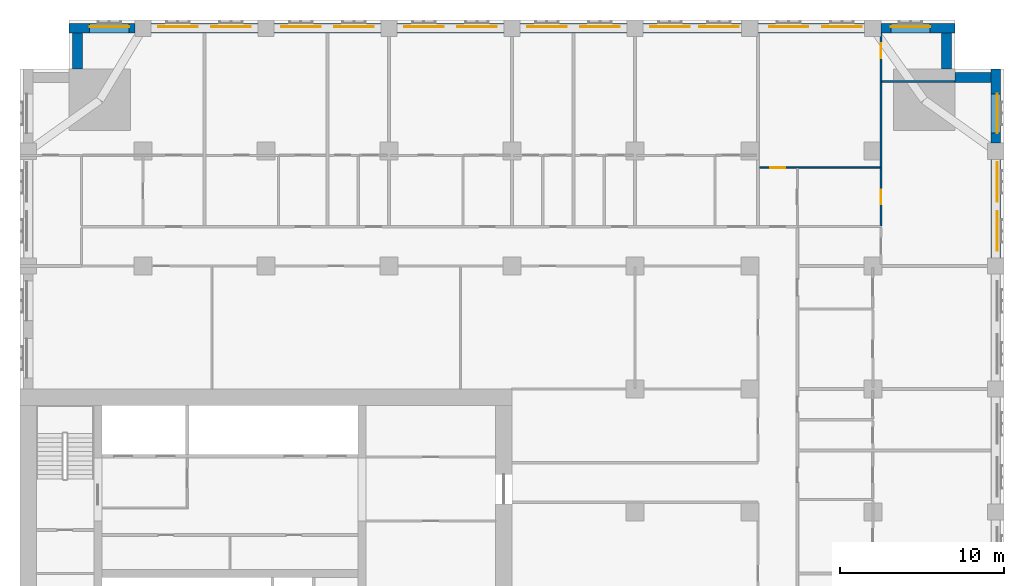
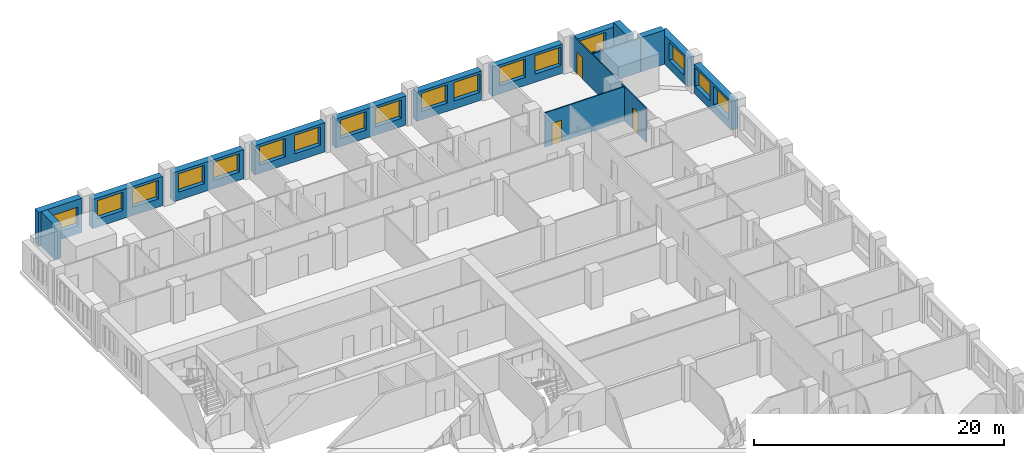
# One storey, part 11 of 14: 17 windows, 16 walls, 3 doors, 20 openings.
"""IFC4 building model written with IfcOpenShell, lengths in metres."""

from ifc_helpers import new_model, si_unit, direction, frame, frame_2d, origin, place, context, subcontext, project, spatial, rectangle, extrude, material, layer, layer_set, type_object, element, fill, save


model = new_model("IFC4")

# Units and contexts
model_context = context("Model", 3, precision=1e-05, world=origin(), true_north=direction((0.0, 1.0)))
body_context = subcontext(model_context, "Body", "Model", "MODEL_VIEW")
ifc_project = project(units=[si_unit("LENGTHUNIT", "METRE"), si_unit("AREAUNIT", "SQUARE_METRE"), si_unit("VOLUMEUNIT", "CUBIC_METRE"), si_unit("PLANEANGLEUNIT", "RADIAN"), si_unit("MASSUNIT", "GRAM", prefix="KILO")], contexts=[model_context])

# Site, building, storey
site_placement = place(None, origin())
site = spatial("IfcSite", under=ifc_project, at=site_placement, CompositionType="ELEMENT")
building_placement = place(site_placement, origin())
building = spatial("IfcBuilding", under=site, at=building_placement, Name="Tamorin Gate", CompositionType="ELEMENT")
storey_placement = place(building_placement, frame((0.0, 0.0, 107.89990234375)))
storey = spatial("IfcBuildingStorey", under=building, at=storey_placement, Name="L26", CompositionType="ELEMENT", Elevation=107.89990234375)

# Wall, openings, windows
ifc_material_1 = material(Name="Precast concrete C40/50", Category="concrete")
ifc_layer_1 = layer(ifc_material_1, 0.60009765625)
ifc_layer_set_1 = layer_set([ifc_layer_1], Name="Precast concrete C40/50")
wall_type_1 = type_object("IfcWallType", Name="Board-marked concrete facade panel 600", PredefinedType="SOLIDWALL", material=ifc_layer_set_1)
wall_1_placement = place(storey_placement, frame((89.5, 90.5, 0.0), z_axis=(0.0, 0.0, 1.0), x_axis=(0.0, 1.0, 0.0)))
wall_1 = element("IfcWall", 1, at=wall_1_placement, inside=storey, type_object=wall_type_1, Name="Facade panel", PredefinedType="SOLIDWALL", context=body_context, shape_type="SweptSolid", body=[
    extrude(rectangle(XDim=6.0, YDim=0.60009765625, at=frame_2d((3.0, 0.0))), origin(), (0.0, 0.0, 1.0), 2.85009765625),
])
opening_1_placement = place(wall_1_placement, frame((0.425048828125, 0.0, 0.800048828125)))
opening_1 = element("IfcOpeningElement", 2, at=opening_1_placement, cuts=wall_1, Name="Opening WN1", PredefinedType="OPENING", context=body_context, shape_type="SweptSolid", body=[
    extrude(rectangle(XDim=2.39990234375, YDim=1.800048828125, at=frame_2d((1.199951171875, 0.89990234375))), frame((0.0, 0.31005859375, 0.0), z_axis=(0.0, -1.0, 0.0), x_axis=(1.0, 0.0, 0.0)), (0.0, 0.0, 1.0), 0.6201171875),
])
opening_2_placement = place(wall_1_placement, frame((3.425048828125, 0.0, 0.800048828125)))
opening_2 = element("IfcOpeningElement", 3, at=opening_2_placement, cuts=wall_1, Name="Opening WN1", PredefinedType="OPENING", context=body_context, shape_type="SweptSolid", body=[
    extrude(rectangle(XDim=2.39990234375, YDim=1.800048828125, at=frame_2d((1.199951171875, 0.89990234375))), frame((0.0, 0.31005859375, 0.0), z_axis=(0.0, -1.0, 0.0), x_axis=(1.0, 0.0, 0.0)), (0.0, 0.0, 1.0), 0.6201171875),
])
ifc_material_2 = material(Name="Clear glass in aluminium frame", Category="aluminium")
window_type = type_object("IfcWindowType", Name="Deep-set window 2400x1800", PartitioningType="SINGLE_PANEL", PredefinedType="WINDOW", material=ifc_material_2)
window_1_placement = place(opening_1_placement, origin())
window_1 = element("IfcWindow", 4, at=window_1_placement, inside=storey, type_object=window_type, Name="Deep-set window", OverallHeight=1.800048828125, OverallWidth=2.39990234375, PartitioningType="SINGLE_PANEL", PredefinedType="WINDOW", context=body_context, shape_type="SweptSolid", body=[
    extrude(rectangle(XDim=2.39990234375, YDim=1.800048828125, at=frame_2d((1.199951171875, 0.89990234375))), frame((0.0, -0.070068359375, 0.0), z_axis=(0.0, -1.0, 0.0), x_axis=(1.0, 0.0, 0.0)), (0.0, 0.0, 1.0), 0.06005859375),
])
fill(opening_1, window_1)
window_2_placement = place(opening_2_placement, origin())
window_2 = element("IfcWindow", 5, at=window_2_placement, inside=storey, type_object=window_type, Name="Deep-set window", OverallHeight=1.800048828125, OverallWidth=2.39990234375, PartitioningType="SINGLE_PANEL", PredefinedType="WINDOW", context=body_context, shape_type="SweptSolid", body=[
    extrude(rectangle(XDim=2.39990234375, YDim=1.800048828125, at=frame_2d((1.199951171875, 0.89990234375))), frame((0.0, -0.070068359375, 0.0), z_axis=(0.0, -1.0, 0.0), x_axis=(1.0, 0.0, 0.0)), (0.0, 0.0, 1.0), 0.06005859375),
])
fill(opening_2, window_2)

# Wall, opening, window
wall_2_placement = place(storey_placement, frame((89.5, 97.5, 0.0), z_axis=(0.0, 0.0, 1.0), x_axis=(0.0, 1.0, 0.0)))
wall_2 = element("IfcWall", 6, at=wall_2_placement, inside=storey, type_object=wall_type_1, Name="Facade panel", PredefinedType="SOLIDWALL", context=body_context, shape_type="SweptSolid", body=[
    extrude(rectangle(XDim=4.5, YDim=0.60009765625, at=frame_2d((2.25, 0.0))), origin(), (0.0, 0.0, 1.0), 2.85009765625),
])
opening_3_placement = place(wall_2_placement, frame((0.60009765625, 0.0, 0.800048828125)))
opening_3 = element("IfcOpeningElement", 7, at=opening_3_placement, cuts=wall_2, Name="Opening WN1", PredefinedType="OPENING", context=body_context, shape_type="SweptSolid", body=[
    extrude(rectangle(XDim=2.39990234375, YDim=1.800048828125, at=frame_2d((1.199951171875, 0.89990234375))), frame((0.0, 0.31005859375, 0.0), z_axis=(0.0, -1.0, 0.0), x_axis=(1.0, 0.0, 0.0)), (0.0, 0.0, 1.0), 0.6201171875),
])
window_3_placement = place(opening_3_placement, origin())
window_3 = element("IfcWindow", 8, at=window_3_placement, inside=storey, type_object=window_type, Name="Deep-set window", OverallHeight=1.800048828125, OverallWidth=2.39990234375, PartitioningType="SINGLE_PANEL", PredefinedType="WINDOW", context=body_context, shape_type="SweptSolid", body=[
    extrude(rectangle(XDim=2.39990234375, YDim=1.800048828125, at=frame_2d((1.199951171875, 0.89990234375))), frame((0.0, -0.070068359375, 0.0), z_axis=(0.0, -1.0, 0.0), x_axis=(1.0, 0.0, 0.0)), (0.0, 0.0, 1.0), 0.06005859375),
])
fill(opening_3, window_3)

# Walls
for number, where, z_axis, x_axis, name in (
    (9, (89.199951171875, 101.5, 0.0), (0.0, 0.0, 1.0), (-1.0, 0.0, 0.0), "Facade panel"),
    (10, (86.5, 102.0, 0.0), (0.0, 0.0, 1.0), (0.0, 1.0, 0.0), "Facade panel"),
):
    element("IfcWall", number, at=place(storey_placement, frame(where, z_axis=z_axis, x_axis=x_axis)), inside=storey, type_object=wall_type_1, Name=name, PredefinedType="SOLIDWALL", context=body_context, shape_type="SweptSolid", body=[
        extrude(rectangle(XDim=2.199951171875, YDim=0.60009765625, at=frame_2d((1.10009765625, 0.0))), origin(), (0.0, 0.0, 1.0), 3.35009765625),
    ])

# Wall, opening, window
wall_3_placement = place(storey_placement, frame((87.0, 104.5, 0.0), z_axis=(0.0, 0.0, 1.0), x_axis=(-1.0, 0.0, 0.0)))
wall_3 = element("IfcWall", 11, at=wall_3_placement, inside=storey, type_object=wall_type_1, Name="Facade panel", PredefinedType="SOLIDWALL", context=body_context, shape_type="SweptSolid", body=[
    extrude(rectangle(XDim=4.5, YDim=0.60009765625, at=frame_2d((2.25, 0.0))), origin(), (0.0, 0.0, 1.0), 2.85009765625),
])
opening_4_placement = place(wall_3_placement, frame((1.5, 0.0, 0.800048828125)))
opening_4 = element("IfcOpeningElement", 12, at=opening_4_placement, cuts=wall_3, Name="Opening WN1", PredefinedType="OPENING", context=body_context, shape_type="SweptSolid", body=[
    extrude(rectangle(XDim=2.39990234375, YDim=1.800048828125, at=frame_2d((1.199951171875, 0.89990234375))), frame((0.0, 0.31005859375, 0.0), z_axis=(0.0, -1.0, 0.0), x_axis=(1.0, 0.0, 0.0)), (0.0, 0.0, 1.0), 0.6201171875),
])
window_4_placement = place(opening_4_placement, origin())
window_4 = element("IfcWindow", 13, at=window_4_placement, inside=storey, type_object=window_type, Name="Deep-set window", OverallHeight=1.800048828125, OverallWidth=2.39990234375, PartitioningType="SINGLE_PANEL", PredefinedType="WINDOW", context=body_context, shape_type="SweptSolid", body=[
    extrude(rectangle(XDim=2.39990234375, YDim=1.800048828125, at=frame_2d((1.199951171875, 0.89990234375))), frame((0.0, -0.070068359375, 0.0), z_axis=(0.0, -1.0, 0.0), x_axis=(1.0, 0.0, 0.0)), (0.0, 0.0, 1.0), 0.06005859375),
])
fill(opening_4, window_4)

# Wall, openings, windows
wall_4_placement = place(storey_placement, frame((81.5, 104.5, 0.0), z_axis=(0.0, 0.0, 1.0), x_axis=(-1.0, 0.0, 0.0)))
wall_4 = element("IfcWall", 14, at=wall_4_placement, inside=storey, type_object=wall_type_1, Name="Facade panel", PredefinedType="SOLIDWALL", context=body_context, shape_type="SweptSolid", body=[
    extrude(rectangle(XDim=6.5, YDim=0.60009765625, at=frame_2d((3.25, 0.0))), origin(), (0.0, 0.0, 1.0), 2.85009765625),
])
opening_5_placement = place(wall_4_placement, frame((3.425048828125, 0.0, 0.800048828125)))
opening_5 = element("IfcOpeningElement", 15, at=opening_5_placement, cuts=wall_4, Name="Opening WN1", PredefinedType="OPENING", context=body_context, shape_type="SweptSolid", body=[
    extrude(rectangle(XDim=2.39990234375, YDim=1.800048828125, at=frame_2d((1.199951171875, 0.89990234375))), frame((0.0, 0.31005859375, 0.0), z_axis=(0.0, -1.0, 0.0), x_axis=(1.0, 0.0, 0.0)), (0.0, 0.0, 1.0), 0.6201171875),
])
opening_6_placement = place(wall_4_placement, frame((0.175048828125, 0.0, 0.800048828125)))
opening_6 = element("IfcOpeningElement", 16, at=opening_6_placement, cuts=wall_4, Name="Opening WN1", PredefinedType="OPENING", context=body_context, shape_type="SweptSolid", body=[
    extrude(rectangle(XDim=2.39990234375, YDim=1.800048828125, at=frame_2d((1.199951171875, 0.89990234375))), frame((0.0, 0.31005859375, 0.0), z_axis=(0.0, -1.0, 0.0), x_axis=(1.0, 0.0, 0.0)), (0.0, 0.0, 1.0), 0.6201171875),
])
window_5_placement = place(opening_5_placement, origin())
window_5 = element("IfcWindow", 17, at=window_5_placement, inside=storey, type_object=window_type, Name="Deep-set window", OverallHeight=1.800048828125, OverallWidth=2.39990234375, PartitioningType="SINGLE_PANEL", PredefinedType="WINDOW", context=body_context, shape_type="SweptSolid", body=[
    extrude(rectangle(XDim=2.39990234375, YDim=1.800048828125, at=frame_2d((1.199951171875, 0.89990234375))), frame((0.0, -0.070068359375, 0.0), z_axis=(0.0, -1.0, 0.0), x_axis=(1.0, 0.0, 0.0)), (0.0, 0.0, 1.0), 0.06005859375),
])
fill(opening_5, window_5)
window_6_placement = place(opening_6_placement, origin())
window_6 = element("IfcWindow", 18, at=window_6_placement, inside=storey, type_object=window_type, Name="Deep-set window", OverallHeight=1.800048828125, OverallWidth=2.39990234375, PartitioningType="SINGLE_PANEL", PredefinedType="WINDOW", context=body_context, shape_type="SweptSolid", body=[
    extrude(rectangle(XDim=2.39990234375, YDim=1.800048828125, at=frame_2d((1.199951171875, 0.89990234375))), frame((0.0, -0.070068359375, 0.0), z_axis=(0.0, -1.0, 0.0), x_axis=(1.0, 0.0, 0.0)), (0.0, 0.0, 1.0), 0.06005859375),
])
fill(opening_6, window_6)

wall_5_placement = place(storey_placement, frame((74.0, 104.5, 0.0), z_axis=(0.0, 0.0, 1.0), x_axis=(-1.0, 0.0, 0.0)))
wall_5 = element("IfcWall", 19, at=wall_5_placement, inside=storey, type_object=wall_type_1, Name="Facade panel", PredefinedType="SOLIDWALL", context=body_context, shape_type="SweptSolid", body=[
    extrude(rectangle(XDim=6.0, YDim=0.60009765625, at=frame_2d((3.0, 0.0))), origin(), (0.0, 0.0, 1.0), 2.85009765625),
])
opening_7_placement = place(wall_5_placement, frame((3.175048828125, 0.0, 0.800048828125)))
opening_7 = element("IfcOpeningElement", 20, at=opening_7_placement, cuts=wall_5, Name="Opening WN1", PredefinedType="OPENING", context=body_context, shape_type="SweptSolid", body=[
    extrude(rectangle(XDim=2.39990234375, YDim=1.800048828125, at=frame_2d((1.199951171875, 0.89990234375))), frame((0.0, 0.31005859375, 0.0), z_axis=(0.0, -1.0, 0.0), x_axis=(1.0, 0.0, 0.0)), (0.0, 0.0, 1.0), 0.6201171875),
])
opening_8_placement = place(wall_5_placement, frame((0.175048828125, 0.0, 0.800048828125)))
opening_8 = element("IfcOpeningElement", 21, at=opening_8_placement, cuts=wall_5, Name="Opening WN1", PredefinedType="OPENING", context=body_context, shape_type="SweptSolid", body=[
    extrude(rectangle(XDim=2.39990234375, YDim=1.800048828125, at=frame_2d((1.199951171875, 0.89990234375))), frame((0.0, 0.31005859375, 0.0), z_axis=(0.0, -1.0, 0.0), x_axis=(1.0, 0.0, 0.0)), (0.0, 0.0, 1.0), 0.6201171875),
])
window_7_placement = place(opening_7_placement, origin())
window_7 = element("IfcWindow", 22, at=window_7_placement, inside=storey, type_object=window_type, Name="Deep-set window", OverallHeight=1.800048828125, OverallWidth=2.39990234375, PartitioningType="SINGLE_PANEL", PredefinedType="WINDOW", context=body_context, shape_type="SweptSolid", body=[
    extrude(rectangle(XDim=2.39990234375, YDim=1.800048828125, at=frame_2d((1.199951171875, 0.89990234375))), frame((0.0, -0.070068359375, 0.0), z_axis=(0.0, -1.0, 0.0), x_axis=(1.0, 0.0, 0.0)), (0.0, 0.0, 1.0), 0.06005859375),
])
fill(opening_7, window_7)
window_8_placement = place(opening_8_placement, origin())
window_8 = element("IfcWindow", 23, at=window_8_placement, inside=storey, type_object=window_type, Name="Deep-set window", OverallHeight=1.800048828125, OverallWidth=2.39990234375, PartitioningType="SINGLE_PANEL", PredefinedType="WINDOW", context=body_context, shape_type="SweptSolid", body=[
    extrude(rectangle(XDim=2.39990234375, YDim=1.800048828125, at=frame_2d((1.199951171875, 0.89990234375))), frame((0.0, -0.070068359375, 0.0), z_axis=(0.0, -1.0, 0.0), x_axis=(1.0, 0.0, 0.0)), (0.0, 0.0, 1.0), 0.06005859375),
])
fill(opening_8, window_8)

wall_6_placement = place(storey_placement, frame((67.0, 104.5, 0.0), z_axis=(0.0, 0.0, 1.0), x_axis=(-1.0, 0.0, 0.0)))
wall_6 = element("IfcWall", 24, at=wall_6_placement, inside=storey, type_object=wall_type_1, Name="Facade panel", PredefinedType="SOLIDWALL", context=body_context, shape_type="SweptSolid", body=[
    extrude(rectangle(XDim=6.5, YDim=0.60009765625, at=frame_2d((3.25, 0.0))), origin(), (0.0, 0.0, 1.0), 2.85009765625),
])
opening_9_placement = place(wall_6_placement, frame((3.675048828125, 0.0, 0.800048828125)))
opening_9 = element("IfcOpeningElement", 25, at=opening_9_placement, cuts=wall_6, Name="Opening WN1", PredefinedType="OPENING", context=body_context, shape_type="SweptSolid", body=[
    extrude(rectangle(XDim=2.39990234375, YDim=1.800048828125, at=frame_2d((1.199951171875, 0.89990234375))), frame((0.0, 0.31005859375, 0.0), z_axis=(0.0, -1.0, 0.0), x_axis=(1.0, 0.0, 0.0)), (0.0, 0.0, 1.0), 0.6201171875),
])
opening_10_placement = place(wall_6_placement, frame((0.425048828125, 0.0, 0.800048828125)))
opening_10 = element("IfcOpeningElement", 26, at=opening_10_placement, cuts=wall_6, Name="Opening WN1", PredefinedType="OPENING", context=body_context, shape_type="SweptSolid", body=[
    extrude(rectangle(XDim=2.39990234375, YDim=1.800048828125, at=frame_2d((1.199951171875, 0.89990234375))), frame((0.0, 0.31005859375, 0.0), z_axis=(0.0, -1.0, 0.0), x_axis=(1.0, 0.0, 0.0)), (0.0, 0.0, 1.0), 0.6201171875),
])
window_9_placement = place(opening_9_placement, origin())
window_9 = element("IfcWindow", 27, at=window_9_placement, inside=storey, type_object=window_type, Name="Deep-set window", OverallHeight=1.800048828125, OverallWidth=2.39990234375, PartitioningType="SINGLE_PANEL", PredefinedType="WINDOW", context=body_context, shape_type="SweptSolid", body=[
    extrude(rectangle(XDim=2.39990234375, YDim=1.800048828125, at=frame_2d((1.199951171875, 0.89990234375))), frame((0.0, -0.070068359375, 0.0), z_axis=(0.0, -1.0, 0.0), x_axis=(1.0, 0.0, 0.0)), (0.0, 0.0, 1.0), 0.06005859375),
])
fill(opening_9, window_9)
window_10_placement = place(opening_10_placement, origin())
window_10 = element("IfcWindow", 28, at=window_10_placement, inside=storey, type_object=window_type, Name="Deep-set window", OverallHeight=1.800048828125, OverallWidth=2.39990234375, PartitioningType="SINGLE_PANEL", PredefinedType="WINDOW", context=body_context, shape_type="SweptSolid", body=[
    extrude(rectangle(XDim=2.39990234375, YDim=1.800048828125, at=frame_2d((1.199951171875, 0.89990234375))), frame((0.0, -0.070068359375, 0.0), z_axis=(0.0, -1.0, 0.0), x_axis=(1.0, 0.0, 0.0)), (0.0, 0.0, 1.0), 0.06005859375),
])
fill(opening_10, window_10)

wall_7_placement = place(storey_placement, frame((59.5, 104.5, 0.0), z_axis=(0.0, 0.0, 1.0), x_axis=(-1.0, 0.0, 0.0)))
wall_7 = element("IfcWall", 29, at=wall_7_placement, inside=storey, type_object=wall_type_1, Name="Facade panel", PredefinedType="SOLIDWALL", context=body_context, shape_type="SweptSolid", body=[
    extrude(rectangle(XDim=6.5, YDim=0.60009765625, at=frame_2d((3.25, 0.0))), origin(), (0.0, 0.0, 1.0), 2.85009765625),
])
opening_11_placement = place(wall_7_placement, frame((3.675048828125, 0.0, 0.800048828125)))
opening_11 = element("IfcOpeningElement", 30, at=opening_11_placement, cuts=wall_7, Name="Opening WN1", PredefinedType="OPENING", context=body_context, shape_type="SweptSolid", body=[
    extrude(rectangle(XDim=2.39990234375, YDim=1.800048828125, at=frame_2d((1.199951171875, 0.89990234375))), frame((0.0, 0.31005859375, 0.0), z_axis=(0.0, -1.0, 0.0), x_axis=(1.0, 0.0, 0.0)), (0.0, 0.0, 1.0), 0.6201171875),
])
opening_12_placement = place(wall_7_placement, frame((0.425048828125, 0.0, 0.800048828125)))
opening_12 = element("IfcOpeningElement", 31, at=opening_12_placement, cuts=wall_7, Name="Opening WN1", PredefinedType="OPENING", context=body_context, shape_type="SweptSolid", body=[
    extrude(rectangle(XDim=2.39990234375, YDim=1.800048828125, at=frame_2d((1.199951171875, 0.89990234375))), frame((0.0, 0.31005859375, 0.0), z_axis=(0.0, -1.0, 0.0), x_axis=(1.0, 0.0, 0.0)), (0.0, 0.0, 1.0), 0.6201171875),
])
window_11_placement = place(opening_11_placement, origin())
window_11 = element("IfcWindow", 32, at=window_11_placement, inside=storey, type_object=window_type, Name="Deep-set window", OverallHeight=1.800048828125, OverallWidth=2.39990234375, PartitioningType="SINGLE_PANEL", PredefinedType="WINDOW", context=body_context, shape_type="SweptSolid", body=[
    extrude(rectangle(XDim=2.39990234375, YDim=1.800048828125, at=frame_2d((1.199951171875, 0.89990234375))), frame((0.0, -0.070068359375, 0.0), z_axis=(0.0, -1.0, 0.0), x_axis=(1.0, 0.0, 0.0)), (0.0, 0.0, 1.0), 0.06005859375),
])
fill(opening_11, window_11)
window_12_placement = place(opening_12_placement, origin())
window_12 = element("IfcWindow", 33, at=window_12_placement, inside=storey, type_object=window_type, Name="Deep-set window", OverallHeight=1.800048828125, OverallWidth=2.39990234375, PartitioningType="SINGLE_PANEL", PredefinedType="WINDOW", context=body_context, shape_type="SweptSolid", body=[
    extrude(rectangle(XDim=2.39990234375, YDim=1.800048828125, at=frame_2d((1.199951171875, 0.89990234375))), frame((0.0, -0.070068359375, 0.0), z_axis=(0.0, -1.0, 0.0), x_axis=(1.0, 0.0, 0.0)), (0.0, 0.0, 1.0), 0.06005859375),
])
fill(opening_12, window_12)

wall_8_placement = place(storey_placement, frame((52.0, 104.5, 0.0), z_axis=(0.0, 0.0, 1.0), x_axis=(-1.0, 0.0, 0.0)))
wall_8 = element("IfcWall", 34, at=wall_8_placement, inside=storey, type_object=wall_type_1, Name="Facade panel", PredefinedType="SOLIDWALL", context=body_context, shape_type="SweptSolid", body=[
    extrude(rectangle(XDim=6.5, YDim=0.60009765625, at=frame_2d((3.25, 0.0))), origin(), (0.0, 0.0, 1.0), 2.85009765625),
])
opening_13_placement = place(wall_8_placement, frame((3.675048828125, 0.0, 0.800048828125)))
opening_13 = element("IfcOpeningElement", 35, at=opening_13_placement, cuts=wall_8, Name="Opening WN1", PredefinedType="OPENING", context=body_context, shape_type="SweptSolid", body=[
    extrude(rectangle(XDim=2.39990234375, YDim=1.800048828125, at=frame_2d((1.199951171875, 0.89990234375))), frame((0.0, 0.31005859375, 0.0), z_axis=(0.0, -1.0, 0.0), x_axis=(1.0, 0.0, 0.0)), (0.0, 0.0, 1.0), 0.6201171875),
])
opening_14_placement = place(wall_8_placement, frame((0.425048828125, 0.0, 0.800048828125)))
opening_14 = element("IfcOpeningElement", 36, at=opening_14_placement, cuts=wall_8, Name="Opening WN1", PredefinedType="OPENING", context=body_context, shape_type="SweptSolid", body=[
    extrude(rectangle(XDim=2.39990234375, YDim=1.800048828125, at=frame_2d((1.199951171875, 0.89990234375))), frame((0.0, 0.31005859375, 0.0), z_axis=(0.0, -1.0, 0.0), x_axis=(1.0, 0.0, 0.0)), (0.0, 0.0, 1.0), 0.6201171875),
])
window_13_placement = place(opening_13_placement, origin())
window_13 = element("IfcWindow", 37, at=window_13_placement, inside=storey, type_object=window_type, Name="Deep-set window", OverallHeight=1.800048828125, OverallWidth=2.39990234375, PartitioningType="SINGLE_PANEL", PredefinedType="WINDOW", context=body_context, shape_type="SweptSolid", body=[
    extrude(rectangle(XDim=2.39990234375, YDim=1.800048828125, at=frame_2d((1.199951171875, 0.89990234375))), frame((0.0, -0.070068359375, 0.0), z_axis=(0.0, -1.0, 0.0), x_axis=(1.0, 0.0, 0.0)), (0.0, 0.0, 1.0), 0.06005859375),
])
fill(opening_13, window_13)
window_14_placement = place(opening_14_placement, origin())
window_14 = element("IfcWindow", 38, at=window_14_placement, inside=storey, type_object=window_type, Name="Deep-set window", OverallHeight=1.800048828125, OverallWidth=2.39990234375, PartitioningType="SINGLE_PANEL", PredefinedType="WINDOW", context=body_context, shape_type="SweptSolid", body=[
    extrude(rectangle(XDim=2.39990234375, YDim=1.800048828125, at=frame_2d((1.199951171875, 0.89990234375))), frame((0.0, -0.070068359375, 0.0), z_axis=(0.0, -1.0, 0.0), x_axis=(1.0, 0.0, 0.0)), (0.0, 0.0, 1.0), 0.06005859375),
])
fill(opening_14, window_14)

wall_9_placement = place(storey_placement, frame((44.5, 104.5, 0.0), z_axis=(0.0, 0.0, 1.0), x_axis=(-1.0, 0.0, 0.0)))
wall_9 = element("IfcWall", 39, at=wall_9_placement, inside=storey, type_object=wall_type_1, Name="Facade panel", PredefinedType="SOLIDWALL", context=body_context, shape_type="SweptSolid", body=[
    extrude(rectangle(XDim=6.5, YDim=0.60009765625, at=frame_2d((3.25, 0.0))), origin(), (0.0, 0.0, 1.0), 2.85009765625),
])
opening_15_placement = place(wall_9_placement, frame((3.675048828125, 0.0, 0.800048828125)))
opening_15 = element("IfcOpeningElement", 40, at=opening_15_placement, cuts=wall_9, Name="Opening WN1", PredefinedType="OPENING", context=body_context, shape_type="SweptSolid", body=[
    extrude(rectangle(XDim=2.39990234375, YDim=1.800048828125, at=frame_2d((1.199951171875, 0.89990234375))), frame((0.0, 0.31005859375, 0.0), z_axis=(0.0, -1.0, 0.0), x_axis=(1.0, 0.0, 0.0)), (0.0, 0.0, 1.0), 0.6201171875),
])
opening_16_placement = place(wall_9_placement, frame((0.425048828125, 0.0, 0.800048828125)))
opening_16 = element("IfcOpeningElement", 41, at=opening_16_placement, cuts=wall_9, Name="Opening WN1", PredefinedType="OPENING", context=body_context, shape_type="SweptSolid", body=[
    extrude(rectangle(XDim=2.39990234375, YDim=1.800048828125, at=frame_2d((1.199951171875, 0.89990234375))), frame((0.0, 0.31005859375, 0.0), z_axis=(0.0, -1.0, 0.0), x_axis=(1.0, 0.0, 0.0)), (0.0, 0.0, 1.0), 0.6201171875),
])
window_15_placement = place(opening_15_placement, origin())
window_15 = element("IfcWindow", 42, at=window_15_placement, inside=storey, type_object=window_type, Name="Deep-set window", OverallHeight=1.800048828125, OverallWidth=2.39990234375, PartitioningType="SINGLE_PANEL", PredefinedType="WINDOW", context=body_context, shape_type="SweptSolid", body=[
    extrude(rectangle(XDim=2.39990234375, YDim=1.800048828125, at=frame_2d((1.199951171875, 0.89990234375))), frame((0.0, -0.070068359375, 0.0), z_axis=(0.0, -1.0, 0.0), x_axis=(1.0, 0.0, 0.0)), (0.0, 0.0, 1.0), 0.06005859375),
])
fill(opening_15, window_15)
window_16_placement = place(opening_16_placement, origin())
window_16 = element("IfcWindow", 43, at=window_16_placement, inside=storey, type_object=window_type, Name="Deep-set window", OverallHeight=1.800048828125, OverallWidth=2.39990234375, PartitioningType="SINGLE_PANEL", PredefinedType="WINDOW", context=body_context, shape_type="SweptSolid", body=[
    extrude(rectangle(XDim=2.39990234375, YDim=1.800048828125, at=frame_2d((1.199951171875, 0.89990234375))), frame((0.0, -0.070068359375, 0.0), z_axis=(0.0, -1.0, 0.0), x_axis=(1.0, 0.0, 0.0)), (0.0, 0.0, 1.0), 0.06005859375),
])
fill(opening_16, window_16)

# Wall, opening, window
wall_10_placement = place(storey_placement, frame((37.0, 104.5, 0.0), z_axis=(0.0, 0.0, 1.0), x_axis=(-1.0, 0.0, 0.0)))
wall_10 = element("IfcWall", 44, at=wall_10_placement, inside=storey, type_object=wall_type_1, Name="Facade panel", PredefinedType="SOLIDWALL", context=body_context, shape_type="SweptSolid", body=[
    extrude(rectangle(XDim=4.0, YDim=0.60009765625, at=frame_2d((2.0, 0.0))), origin(), (0.0, 0.0, 1.0), 3.35009765625),
])
opening_17_placement = place(wall_10_placement, frame((0.35009765625, 0.0, 0.800048828125)))
opening_17 = element("IfcOpeningElement", 45, at=opening_17_placement, cuts=wall_10, Name="Opening WN1", PredefinedType="OPENING", context=body_context, shape_type="SweptSolid", body=[
    extrude(rectangle(XDim=2.39990234375, YDim=1.800048828125, at=frame_2d((1.199951171875, 0.89990234375))), frame((0.0, 0.31005859375, 0.0), z_axis=(0.0, -1.0, 0.0), x_axis=(1.0, 0.0, 0.0)), (0.0, 0.0, 1.0), 0.6201171875),
])
window_17_placement = place(opening_17_placement, origin())
window_17 = element("IfcWindow", 46, at=window_17_placement, inside=storey, type_object=window_type, Name="Deep-set window", OverallHeight=1.800048828125, OverallWidth=2.39990234375, PartitioningType="SINGLE_PANEL", PredefinedType="WINDOW", context=body_context, shape_type="SweptSolid", body=[
    extrude(rectangle(XDim=2.39990234375, YDim=1.800048828125, at=frame_2d((1.199951171875, 0.89990234375))), frame((0.0, -0.070068359375, 0.0), z_axis=(0.0, -1.0, 0.0), x_axis=(1.0, 0.0, 0.0)), (0.0, 0.0, 1.0), 0.06005859375),
])
fill(opening_17, window_17)

# Wall
wall_11_placement = place(storey_placement, frame((33.5, 104.199951171875, 0.0), z_axis=(0.0, 0.0, 1.0), x_axis=(0.0, -1.0, 0.0)))
element("IfcWall", 47, at=wall_11_placement, inside=storey, type_object=wall_type_1, Name="Facade panel", PredefinedType="SOLIDWALL", context=body_context, shape_type="SweptSolid", body=[
    extrude(rectangle(XDim=2.199951171875, YDim=0.60009765625, at=frame_2d((1.10009765625, 0.0))), origin(), (0.0, 0.0, 1.0), 3.35009765625),
])

# Wall, opening, door
ifc_material_3 = material(Name="Gypsum board partition")
ifc_layer_2 = layer(ifc_material_3, 0.10009765625)
ifc_layer_set_2 = layer_set([ifc_layer_2], Name="Room partition 100")
wall_type_2 = type_object("IfcWallType", Name="Room partition 100", PredefinedType="PARTITIONING", material=ifc_layer_set_2)
wall_12_placement = place(storey_placement, frame((75.10009765625, 96.0, 0.0), z_axis=(0.0, 0.0, 1.0), x_axis=(1.0, 0.0, 0.0)))
wall_12 = element("IfcWall", 48, at=wall_12_placement, inside=storey, type_object=wall_type_2, Name="Room partition 100", PredefinedType="PARTITIONING", context=body_context, shape_type="SweptSolid", body=[
    extrude(rectangle(XDim=7.349853515625, YDim=0.10009765625, at=frame_2d((3.6748046875, 0.0))), origin(), (0.0, 0.0, 1.0), 3.35009765625),
])
opening_18_placement = place(wall_12_placement, frame((0.64990234375, 0.0, 0.0)))
opening_18 = element("IfcOpeningElement", 49, at=opening_18_placement, cuts=wall_12, Name="Opening DH5067", PredefinedType="OPENING", context=body_context, shape_type="SweptSolid", body=[
    extrude(rectangle(XDim=0.89990234375, YDim=2.10009765625, at=frame_2d((0.449951171875, 1.050048828125))), frame((0.0, 0.06005859375, 0.0), z_axis=(0.0, -1.0, 0.0), x_axis=(1.0, 0.0, 0.0)), (0.0, 0.0, 1.0), 0.1201171875),
])
ifc_material_4 = material(Name="Timber door leaf", Category="wood")
door_type = type_object("IfcDoorType", Name="Door 900 x 2100", OperationType="NOTDEFINED", PredefinedType="DOOR", material=ifc_material_4)
door_1_placement = place(opening_18_placement, origin())
door_1 = element("IfcDoor", 50, at=door_1_placement, inside=storey, type_object=door_type, Name="Door DH5067", OperationType="SINGLE_SWING_LEFT", OverallHeight=2.10009765625, OverallWidth=0.89990234375, PredefinedType="DOOR", context=body_context, shape_type="SweptSolid", body=[
    extrude(rectangle(XDim=0.89990234375, YDim=2.10009765625, at=frame_2d((0.449951171875, 1.050048828125))), frame((0.0, 0.02490234375, 0.0), z_axis=(0.0, -1.0, 0.0), x_axis=(1.0, 0.0, 0.0)), (0.0, 0.0, 1.0), 0.050048828125),
])
fill(opening_18, door_1)

# Wall
wall_13_placement = place(storey_placement, frame((82.550048828125, 101.25, 0.0), z_axis=(0.0, 0.0, 1.0), x_axis=(1.0, 0.0, 0.0)))
element("IfcWall", 51, at=wall_13_placement, inside=storey, type_object=wall_type_2, Name="Room partition 100", PredefinedType="PARTITIONING", context=body_context, shape_type="SweptSolid", body=[
    extrude(rectangle(XDim=4.43994140625, YDim=0.10009765625, at=frame_2d((2.219970703125, 0.0))), origin(), (0.0, 0.0, 1.0), 3.35009765625),
])

# Wall, openings, doors
wall_14_placement = place(storey_placement, frame((82.5, 92.46240234375, 0.0), z_axis=(0.0, 0.0, 1.0), x_axis=(0.0, 1.0, 0.0)))
wall_14 = element("IfcWall", 52, at=wall_14_placement, inside=storey, type_object=wall_type_2, Name="Room partition 100", PredefinedType="PARTITIONING", context=body_context, shape_type="SweptSolid", body=[
    extrude(rectangle(XDim=11.7275390625, YDim=0.10009765625, at=frame_2d((5.86376953125, 0.0))), origin(), (0.0, 0.0, 1.0), 3.35009765625),
])
opening_19_placement = place(wall_14_placement, frame((10.21240234375, 0.0, 0.0)))
opening_19 = element("IfcOpeningElement", 53, at=opening_19_placement, cuts=wall_14, Name="Opening DH5069", PredefinedType="OPENING", context=body_context, shape_type="SweptSolid", body=[
    extrude(rectangle(XDim=0.89990234375, YDim=2.10009765625, at=frame_2d((0.449951171875, 1.050048828125))), frame((0.0, 0.06005859375, 0.0), z_axis=(0.0, -1.0, 0.0), x_axis=(1.0, 0.0, 0.0)), (0.0, 0.0, 1.0), 0.1201171875),
])
opening_20_placement = place(wall_14_placement, frame((1.28759765625, 0.0, 0.0)))
opening_20 = element("IfcOpeningElement", 54, at=opening_20_placement, cuts=wall_14, Name="Opening DH5070", PredefinedType="OPENING", context=body_context, shape_type="SweptSolid", body=[
    extrude(rectangle(XDim=0.89990234375, YDim=2.10009765625, at=frame_2d((0.449951171875, 1.050048828125))), frame((0.0, 0.06005859375, 0.0), z_axis=(0.0, -1.0, 0.0), x_axis=(1.0, 0.0, 0.0)), (0.0, 0.0, 1.0), 0.1201171875),
])
door_2_placement = place(opening_19_placement, origin())
door_2 = element("IfcDoor", 55, at=door_2_placement, inside=storey, type_object=door_type, Name="Door DH5069", OperationType="SINGLE_SWING_LEFT", OverallHeight=2.10009765625, OverallWidth=0.89990234375, PredefinedType="DOOR", context=body_context, shape_type="SweptSolid", body=[
    extrude(rectangle(XDim=0.89990234375, YDim=2.10009765625, at=frame_2d((0.449951171875, 1.050048828125))), frame((0.0, 0.02490234375, 0.0), z_axis=(0.0, -1.0, 0.0), x_axis=(1.0, 0.0, 0.0)), (0.0, 0.0, 1.0), 0.050048828125),
])
fill(opening_19, door_2)
door_3_placement = place(opening_20_placement, origin())
door_3 = element("IfcDoor", 56, at=door_3_placement, inside=storey, type_object=door_type, Name="Door DH5070", OperationType="SINGLE_SWING_RIGHT", OverallHeight=2.10009765625, OverallWidth=0.89990234375, PredefinedType="DOOR", context=body_context, shape_type="SweptSolid", body=[
    extrude(rectangle(XDim=0.89990234375, YDim=2.10009765625, at=frame_2d((0.449951171875, 1.050048828125))), frame((0.0, 0.02490234375, 0.0), z_axis=(0.0, -1.0, 0.0), x_axis=(1.0, 0.0, 0.0)), (0.0, 0.0, 1.0), 0.050048828125),
])
fill(opening_20, door_3)

save(model, "model.ifc")
